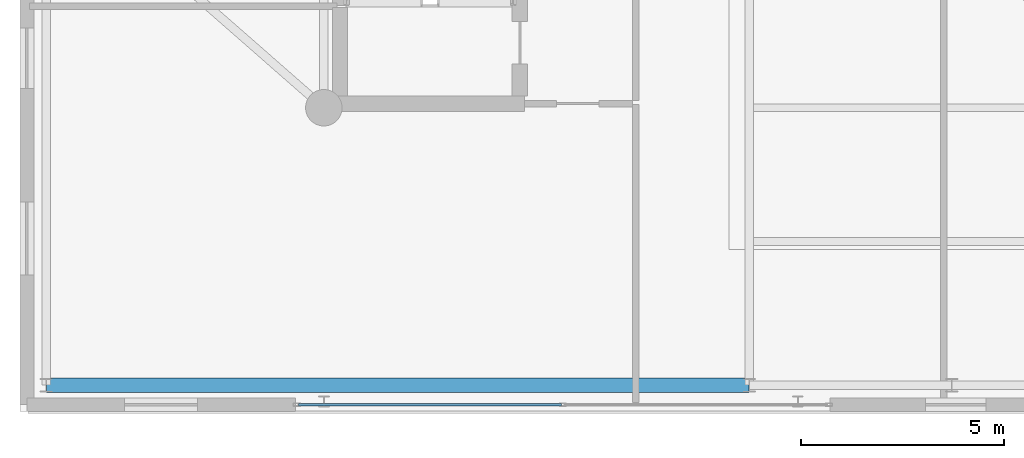
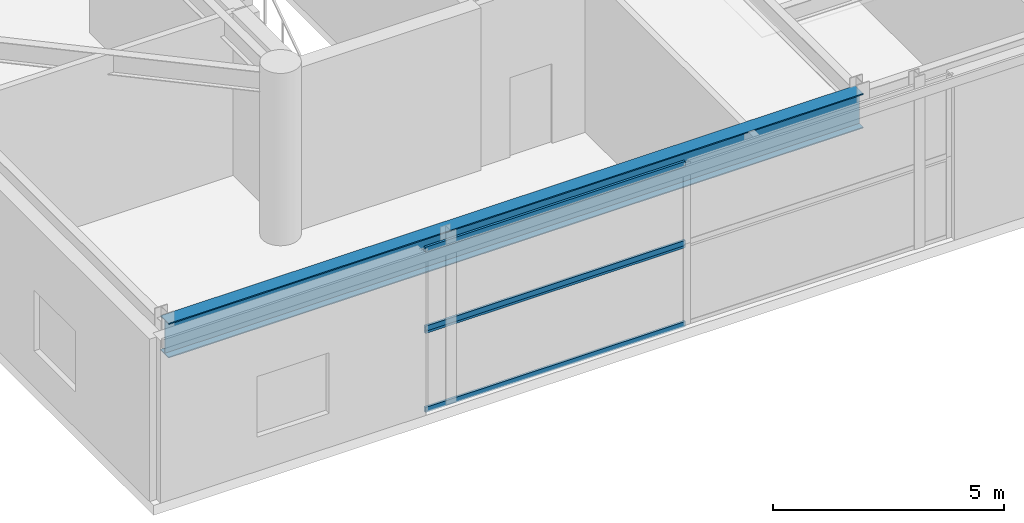
# One storey, part 7 of 26: 4 members, 1 beam, 2 elements without a shape of their own.
"""IFC4 building model written with IfcOpenShell, lengths in metres."""

from ifc_helpers import new_model, si_unit, direction, frame, origin, origin_2d, place, context, subcontext, project, spatial, hollow_rectangle, i_section, extrude, source, transform, mapped, material, layer, layer_set, material_profile, profile_set, type_object, element, aggregate, save


model = new_model("IFC4")

# Units and contexts
model_context = context("Model", 3, precision=1e-05, world=origin(), true_north=direction((0.0, 1.0)))
body_context = subcontext(model_context, "Body", "Model", "MODEL_VIEW")
ifc_project = project(units=[si_unit("LENGTHUNIT", "METRE"), si_unit("AREAUNIT", "SQUARE_METRE"), si_unit("VOLUMEUNIT", "CUBIC_METRE"), si_unit("PLANEANGLEUNIT", "RADIAN"), si_unit("MASSUNIT", "GRAM", prefix="KILO")], contexts=[model_context])

# Site, building, storey
site_placement = place(None, origin())
site = spatial("IfcSite", under=ifc_project, at=site_placement, CompositionType="ELEMENT")
building_placement = place(site_placement, origin())
building = spatial("IfcBuilding", under=site, at=building_placement, Name="Taldren Reach Tower", CompositionType="ELEMENT")
storey_placement = place(building_placement, frame((0.0, 0.0, 8.39990234375)))
storey = spatial("IfcBuildingStorey", under=building, at=storey_placement, Name="L02", CompositionType="ELEMENT", Elevation=8.39990234375)

# Beam
ifc_material_1 = material(Name="Steel Gr 350 (350PLUS)", Category="steel")
ifc_material_profile_1 = material_profile(ifc_material_1, i_section(OverallWidth=0.35009765625, OverallDepth=0.916015625, WebThickness=0.013916015625, FlangeThickness=0.028076171875, at=origin_2d()), Name="900WB257")
ifc_profile_set_1 = profile_set([ifc_material_profile_1], Name="Steel Gr 350 (350PLUS)")
beam_type = type_object("IfcBeamType", Name="BM-WB900", PredefinedType="BEAM", material=ifc_profile_set_1)
shared_shape_1 = source(origin(), body_context, "Body", "SweptSolid", [
    extrude(i_section(OverallWidth=0.35009765625, OverallDepth=0.916015625, WebThickness=0.013916015625, FlangeThickness=0.028076171875, at=origin_2d()), origin(), (0.0, 0.0, 1.0), 17.35009765625),
])
beam_placement = place(storey_placement, frame((0.64990234375, 0.64990234375, 3.83203125), z_axis=(1.0, 0.0, 0.0), x_axis=(0.0, 1.0, 0.0)))
element("IfcBeam", 1, at=beam_placement, inside=storey, type_object=beam_type, Name="Podium girder L02-PD01", PredefinedType="BEAM", context=body_context, shape_type="MappedRepresentation", body=[
    mapped(shared_shape_1, transform((0.0, 0.0, 0.0), scale=1.0)),
])

# Curtain wall, members
ifc_material_2 = material(Name="Aluminium and Low-E Glass Unitised System", Category="aluminium")
ifc_layer = layer(ifc_material_2, 0.159912109375)
ifc_layer_set = layer_set([ifc_layer], Name="Aluminium and Low-E Glass Unitised System")
curtain_wall_type = type_object("IfcCurtainWallType", Name="CW-SYS-1", PredefinedType="NOTDEFINED", material=ifc_layer_set)
curtain_wall_1_placement = place(storey_placement, origin())
curtain_wall_1 = element("IfcCurtainWall", 2, at=curtain_wall_1_placement, inside=storey, type_object=curtain_wall_type, Name="Unitised curtain wall CW1-L02-S1", PredefinedType="NOTDEFINED")
ifc_material_3 = material(Name="Anodised Aluminium 6063-T6", Category="aluminium")
ifc_material_profile_2 = material_profile(ifc_material_3, hollow_rectangle(XDim=0.06005859375, YDim=0.135009765625, WallThickness=0.00341796875, at=origin_2d()), Name="ALU-135x60x3.5RHS")
ifc_profile_set_2 = profile_set([ifc_material_profile_2], Name="Anodised Aluminium 6063-T6")
member_type = type_object("IfcMemberType", Name="CW-TRN-150", PredefinedType="USERDEFINED", material=ifc_profile_set_2)
shared_shape_2 = source(origin(), body_context, "Body", "SweptSolid", [
    extrude(hollow_rectangle(XDim=0.06005859375, YDim=0.135009765625, WallThickness=0.00341796875, at=origin_2d()), origin(), (0.0, 0.0, 1.0), 6.494873046875),
])
member_1_placement = place(storey_placement, frame((6.8701171875, 0.169921875, 0.030029296875), z_axis=(1.0, 0.0, 0.0), x_axis=(0.0, 1.0, 0.0)))
member_1 = element("IfcMember", 3, at=member_1_placement, type_object=member_type, Name="CW-1 transom 1.1", ObjectType="TRANSOM", PredefinedType="USERDEFINED", context=body_context, shape_type="MappedRepresentation", body=[
    mapped(shared_shape_2, transform((0.0, 0.0, 0.0), scale=1.0)),
])
member_2_placement = place(storey_placement, frame((6.8701171875, 0.169921875, 2.114990234375), z_axis=(1.0, 0.0, 0.0), x_axis=(0.0, 1.0, 0.0)))
member_2 = element("IfcMember", 4, at=member_2_placement, type_object=member_type, Name="CW-1 transom 1.2", ObjectType="TRANSOM", PredefinedType="USERDEFINED", context=body_context, shape_type="MappedRepresentation", body=[
    mapped(shared_shape_2, transform((0.0, 0.0, 0.0), scale=1.0)),
])
aggregate(curtain_wall_1, [member_1, member_2])

curtain_wall_2_placement = place(storey_placement, origin())
curtain_wall_2 = element("IfcCurtainWall", 5, at=curtain_wall_2_placement, inside=storey, type_object=curtain_wall_type, Name="Unitised curtain wall CW1-L02-S1-T2", PredefinedType="NOTDEFINED")
member_3_placement = place(storey_placement, frame((6.8701171875, 0.169921875, 2.175048828125), z_axis=(1.0, 0.0, 0.0), x_axis=(0.0, 1.0, 0.0)))
member_3 = element("IfcMember", 6, at=member_3_placement, type_object=member_type, Name="CW-1 transom 1.1", ObjectType="TRANSOM", PredefinedType="USERDEFINED", context=body_context, shape_type="MappedRepresentation", body=[
    mapped(shared_shape_2, transform((0.0, 0.0, 0.0), scale=1.0)),
])
member_4_placement = place(storey_placement, frame((6.8701171875, 0.169921875, 4.260009765625), z_axis=(1.0, 0.0, 0.0), x_axis=(0.0, 1.0, 0.0)))
member_4 = element("IfcMember", 7, at=member_4_placement, type_object=member_type, Name="CW-1 transom 1.2", ObjectType="TRANSOM", PredefinedType="USERDEFINED", context=body_context, shape_type="MappedRepresentation", body=[
    mapped(shared_shape_2, transform((0.0, 0.0, 0.0), scale=1.0)),
])
aggregate(curtain_wall_2, [member_3, member_4])

save(model, "model.ifc")
